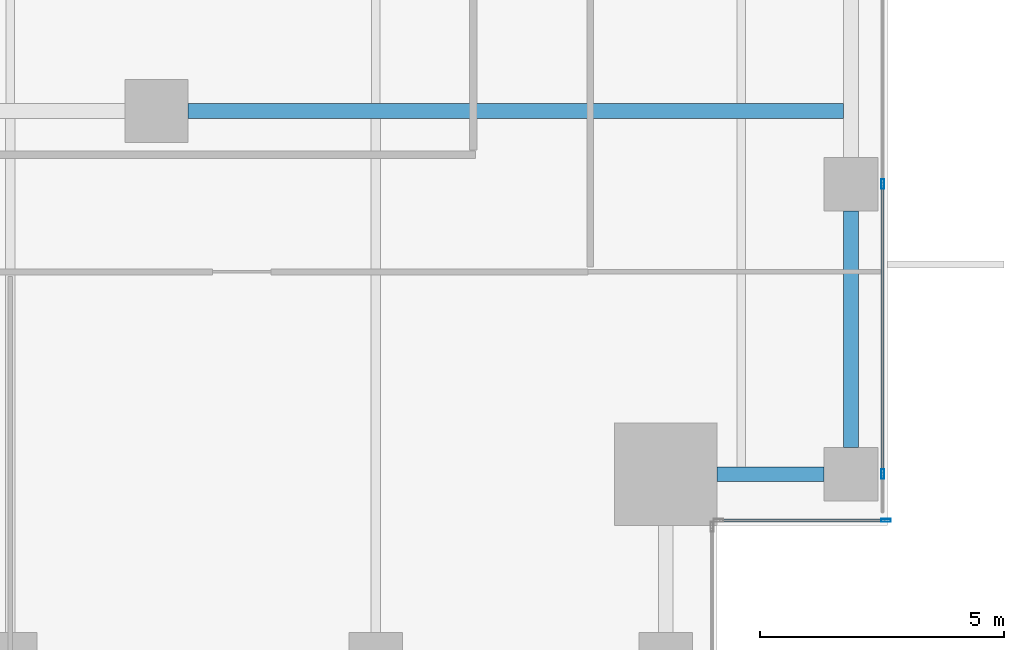
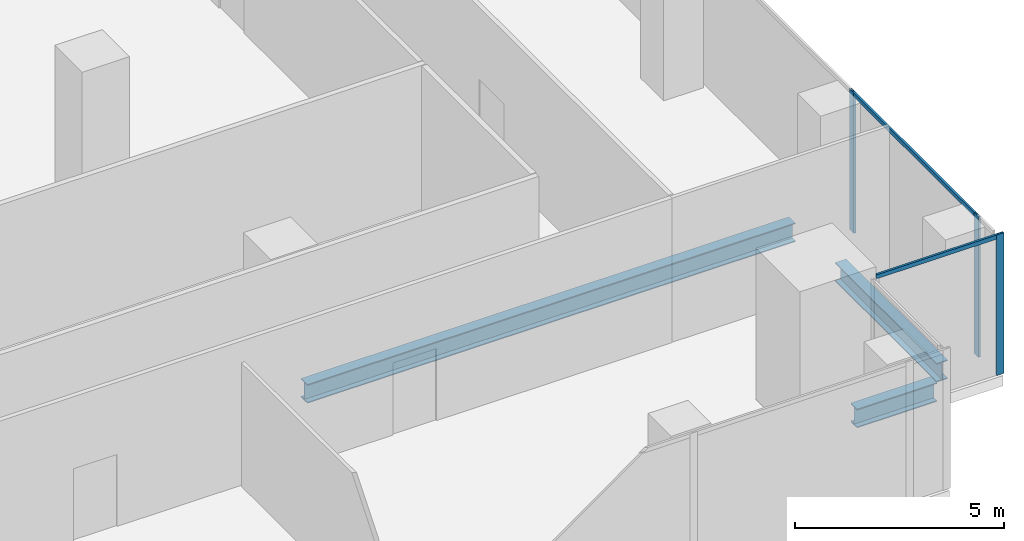
# One storey, part 11 of 35: 5 members, 3 beams, 2 elements without a shape of their own.
"""IFC4 building model written with IfcOpenShell, lengths in metres."""

import ifcopenshell
import ifcopenshell.guid

model = None  # the IFC model being written
_history = None  # IfcOwnerHistory: only IFC2X3 demands one
_inside = {}  # id of a spatial element -> (the spatial element, [elements in it])
_under = {}  # id of a project, library or spatial element -> (it, [spatial elements below it])
_declared = {}  # id of a project -> (the project, [libraries it declares])
_typed = {}  # id of a type object -> (the type object, [elements of that type])
_made_of = {}  # id of a material, layer set ... -> (it, [elements and type objects made of it])


def new_model(schema):
    """Start an empty IFC model of exactly this schema.

    Asked for "IFC4X3", IfcOpenShell would pick the latest addendum, in which some entities
    have other attributes; the version numbers below select the first issue.
    IFC2X3 requires an IfcOwnerHistory on every rooted entity: one is made here for all.
    """
    global model, _history
    if schema == "IFC4X3":
        model = ifcopenshell.file(schema_version=(4, 3, 0, 0))
    else:
        model = ifcopenshell.file(schema=schema)
    _inside.clear()
    _under.clear()
    _declared.clear()
    _typed.clear()
    _made_of.clear()
    _history = None
    if model.schema == "IFC2X3":
        org = make("IfcOrganization", Name="unknown")
        user = make(
            "IfcPersonAndOrganization",
            ThePerson=make("IfcPerson", FamilyName="unknown"),
            TheOrganization=org,
        )
        app = make(
            "IfcApplication",
            ApplicationDeveloper=org,
            Version="unknown",
            ApplicationFullName="unknown",
            ApplicationIdentifier="unknown",
        )
        _history = make(
            "IfcOwnerHistory",
            OwningUser=user,
            OwningApplication=app,
            ChangeAction="ADDED",
            CreationDate=0,
        )
    return model


def make(cls, **values):
    """One entity of the class cls with the attributes given. An attribute that is None is left unset."""
    return model.create_entity(
        cls, **{name: value for name, value in values.items() if value is not None}
    )


def rooted(cls, **values):
    """An entity with a GlobalId (a new one), such as an element, a storey or a relation."""
    return make(cls, GlobalId=ifcopenshell.guid.new(), OwnerHistory=_history, **values)


def si_unit(unit_type, name, prefix=None):
    """IfcSIUnit, for example si_unit("LENGTHUNIT", "METRE", prefix="MILLI")."""
    return make("IfcSIUnit", UnitType=unit_type, Prefix=prefix, Name=name)


def assignment(units):
    """IfcUnitAssignment: the units of a project."""
    return None if units is None else make("IfcUnitAssignment", Units=units)


def point(xyz):
    """IfcCartesianPoint."""
    return None if xyz is None else make("IfcCartesianPoint", Coordinates=xyz)


def direction(xyz):
    """IfcDirection."""
    return None if xyz is None else make("IfcDirection", DirectionRatios=xyz)


def frame(location, z_axis=None, x_axis=None):
    """IfcAxis2Placement3D, a coordinate frame: its origin and axes. An axis left out is left unset."""
    return make(
        "IfcAxis2Placement3D",
        Location=point(location),
        Axis=direction(z_axis),
        RefDirection=direction(x_axis),
    )


def frame_2d(location, x_axis=None):
    """IfcAxis2Placement2D, a coordinate frame in the plane: its origin and x axis."""
    return make(
        "IfcAxis2Placement2D", Location=point(location), RefDirection=direction(x_axis)
    )


def origin():
    """The frame at (0, 0, 0) with its axes left unset."""
    return frame((0.0, 0.0, 0.0))


def origin_2d():
    """The frame at (0, 0) in the plane with its x axis left unset."""
    return frame_2d((0.0, 0.0))


def place(relative_to, where):
    """IfcLocalPlacement: puts the frame where relative to a parent placement (None: the world)."""
    return make(
        "IfcLocalPlacement", PlacementRelTo=relative_to, RelativePlacement=where
    )


def context(
    kind, dimensions, precision=None, world=None, true_north=None, identifier=None
):
    """IfcGeometricRepresentationContext, for example the 3D "Model" context."""
    return make(
        "IfcGeometricRepresentationContext",
        ContextIdentifier=identifier,
        ContextType=kind,
        CoordinateSpaceDimension=dimensions,
        Precision=precision,
        WorldCoordinateSystem=world,
        TrueNorth=true_north,
    )


def subcontext(parent, identifier, kind, view, scale=None):
    """IfcGeometricRepresentationSubContext, for example "Body" below "Model"."""
    return make(
        "IfcGeometricRepresentationSubContext",
        ContextIdentifier=identifier,
        ContextType=kind,
        ParentContext=parent,
        TargetScale=scale,
        TargetView=view,
    )


def project(units=None, contexts=None):
    """IfcProject with its units and contexts."""
    return rooted(
        "IfcProject",
        Name="project",
        RepresentationContexts=contexts,
        UnitsInContext=assignment(units),
    )


def spatial(cls, under=None, at=None, **own):
    """A site, building, storey or space (cls), placed at a placement, below another one or the project."""
    s = rooted(cls, ObjectPlacement=at, **own)
    if under is not None:
        _under.setdefault(under.id(), (under, []))[1].append(s)
    return s


def profile(cls, at=None, kind="AREA", **sizes):
    """A parametric profile (cls). Its sizes go by their IFC names, for example OverallWidth=200.0."""
    return make(cls, ProfileType=kind, Position=at, **sizes)


def hollow_rectangle(**sizes):
    """IfcRectangleHollowProfileDef."""
    return profile("IfcRectangleHollowProfileDef", **sizes)


def i_section(**sizes):
    """IfcIShapeProfileDef."""
    return profile("IfcIShapeProfileDef", **sizes)


def extrude(swept, where, along, depth):
    """IfcExtrudedAreaSolid: the profile swept, set in the frame where, extruded along a direction by depth."""
    return make(
        "IfcExtrudedAreaSolid",
        SweptArea=swept,
        Position=where,
        ExtrudedDirection=direction(along),
        Depth=depth,
    )


def shape(context_of_items, identifier, shape_type, items):
    """IfcShapeRepresentation: the items that make up one representation, for example the "Body"."""
    return make(
        "IfcShapeRepresentation",
        ContextOfItems=context_of_items,
        RepresentationIdentifier=identifier,
        RepresentationType=shape_type,
        Items=items,
    )


def source(mapping_origin, context_of_items, identifier, shape_type, items):
    """IfcRepresentationMap: a shape defined once, which mapped items show again and again."""
    return make(
        "IfcRepresentationMap",
        MappingOrigin=mapping_origin,
        MappedRepresentation=shape(context_of_items, identifier, shape_type, items),
    )


def transform(
    local_origin,
    x_axis=None,
    y_axis=None,
    z_axis=None,
    scale=None,
    scale2=None,
    scale3=None,
    uniform=True,
):
    """IfcCartesianTransformationOperator3D, or its non-uniform kind. x_axis, y_axis, z_axis: its Axis1, 2, 3."""
    if uniform:
        return make(
            "IfcCartesianTransformationOperator3D",
            Axis1=direction(x_axis),
            Axis2=direction(y_axis),
            LocalOrigin=point(local_origin),
            Scale=scale,
            Axis3=direction(z_axis),
        )
    return make(
        "IfcCartesianTransformationOperator3DnonUniform",
        Axis1=direction(x_axis),
        Axis2=direction(y_axis),
        LocalOrigin=point(local_origin),
        Scale=scale,
        Axis3=direction(z_axis),
        Scale2=scale2,
        Scale3=scale3,
    )


def mapped(mapping_source, mapping_target):
    """IfcMappedItem: shows the shape of a source again, moved by a transform."""
    return make(
        "IfcMappedItem", MappingSource=mapping_source, MappingTarget=mapping_target
    )


def material(Name=None, Category=None):
    """IfcMaterial."""
    return make("IfcMaterial", Name=Name, Category=Category)


def material_profile(
    of_material, cross_section, Name=None, Category=None, Priority=None
):
    """IfcMaterialProfile: a cross section and its material."""
    return make(
        "IfcMaterialProfile",
        Name=Name,
        Material=of_material,
        Profile=cross_section,
        Priority=Priority,
        Category=Category,
    )


def profile_set(profiles, Name=None, composite=None):
    """IfcMaterialProfileSet."""
    return make(
        "IfcMaterialProfileSet",
        Name=Name,
        MaterialProfiles=profiles,
        CompositeProfile=composite,
    )


def made_of(thing, what):
    """Note that an element or type object is made of a material, layer set ...; save() writes the relation."""
    if what is not None:
        _made_of.setdefault(what.id(), (what, []))[1].append(thing)
    return thing


def type_object(cls, material=None, **own):
    """A type object (cls), such as IfcWallType, which elements share."""
    return made_of(rooted(cls, **own), material)


def element(
    cls,
    number,
    at=None,
    inside=None,
    cuts=None,
    type_object=None,
    material=None,
    context=None,
    identifier="Body",
    shape_type=None,
    held_by="IfcProductDefinitionShape",
    body=None,
    shapes=None,
    **own,
):
    """One element of the class cls, such as IfcWall. Its Tag is "e" and its number.

    at: its placement. inside: the storey or other place that contains it. cuts: it is an
    opening in that element (IfcRelVoidsElement). A single representation is given by context,
    identifier, shape_type and body (its items); several are given by shapes. held_by: the class
    of the entity that holds the representations. save() writes the other relations.
    """
    e = rooted(cls, Tag="e%d" % number, ObjectPlacement=at, **own)
    if body is not None:
        shapes = [shape(context, identifier, shape_type, body)]
    if shapes is not None:
        e.Representation = make(held_by, Representations=shapes)
    if inside is not None:
        _inside.setdefault(inside.id(), (inside, []))[1].append(e)
    if cuts is not None:
        rooted(
            "IfcRelVoidsElement", RelatingBuildingElement=cuts, RelatedOpeningElement=e
        )
    if type_object is not None:
        _typed.setdefault(type_object.id(), (type_object, []))[1].append(e)
    return made_of(e, material)


def aggregate(whole, parts):
    """IfcRelAggregates: a whole, such as a stair, and the parts it consists of."""
    return rooted("IfcRelAggregates", RelatingObject=whole, RelatedObjects=parts)


def save(model, path):
    """Write the relations noted so far, then the file.

    IfcRelAggregates (storeys below a building ...), IfcRelContainedInSpatialStructure (elements
    in a storey), IfcRelDefinesByType, IfcRelAssociatesMaterial and IfcRelDeclares: one each for
    every whole, place, type object, material and project.
    """
    for whole, parts in _under.values():
        aggregate(whole, parts)
    for where, things in _inside.values():
        rooted(
            "IfcRelContainedInSpatialStructure",
            RelatedElements=things,
            RelatingStructure=where,
        )
    for kind, things in _typed.values():
        rooted("IfcRelDefinesByType", RelatedObjects=things, RelatingType=kind)
    for what, things in _made_of.values():
        rooted("IfcRelAssociatesMaterial", RelatedObjects=things, RelatingMaterial=what)
    for by, libraries in _declared.values():
        rooted("IfcRelDeclares", RelatingContext=by, RelatedDefinitions=libraries)
    model.write(path)


model = new_model("IFC4")

# Units and contexts
model_context = context("Model", 3, precision=1e-05, world=origin(), true_north=direction((0.0, 1.0)))
body_context = subcontext(model_context, "Body", "Model", "MODEL_VIEW")
ifc_project = project(units=[si_unit("LENGTHUNIT", "METRE"), si_unit("AREAUNIT", "SQUARE_METRE"), si_unit("VOLUMEUNIT", "CUBIC_METRE"), si_unit("PLANEANGLEUNIT", "RADIAN"), si_unit("MASSUNIT", "GRAM", prefix="KILO")], contexts=[model_context])

# Site, building, storey
site_placement = place(None, origin())
site = spatial("IfcSite", under=ifc_project, at=site_placement, CompositionType="ELEMENT")
building_placement = place(site_placement, origin())
building = spatial("IfcBuilding", under=site, at=building_placement, Name="Khomas Fold Tower", CompositionType="ELEMENT")
storey_placement = place(building_placement, frame((0.0, 0.0, 132.300048828125)))
storey = spatial("IfcBuildingStorey", under=building, at=storey_placement, Name="L28", CompositionType="ELEMENT", Elevation=132.300048828125)

# Beams
ifc_material_1 = material(Name="Steel S355", Category="steel")
ifc_material_profile_1 = material_profile(ifc_material_1, i_section(OverallWidth=0.300048828125, OverallDepth=0.550048828125, WebThickness=0.014892578125, FlangeThickness=0.029052734375, at=origin_2d()), Name="HE 550 B")
ifc_profile_set_1 = profile_set([ifc_material_profile_1], Name="Steel S355")
beam_type_1 = type_object("IfcBeamType", Name="HE 550 B spandrel SB2", PredefinedType="SPANDREL", material=ifc_profile_set_1)
shared_shape_1 = source(origin(), body_context, "Body", "SweptSolid", [
    extrude(i_section(OverallWidth=0.300048828125, OverallDepth=0.550048828125, WebThickness=0.014892578125, FlangeThickness=0.029052734375, at=origin_2d()), origin(), (0.0, 0.0, 1.0), 4.849853515625),
])
beam_1_placement = place(storey_placement, frame((51.75, 6.60009765625, -0.574951171875), z_axis=(0.0, 1.0, 0.0), x_axis=(-1.0, 0.0, 0.0)))
element("IfcBeam", 1, at=beam_1_placement, inside=storey, type_object=beam_type_1, Name="SB2", PredefinedType="SPANDREL", context=body_context, shape_type="MappedRepresentation", body=[
    mapped(shared_shape_1, transform((0.0, 0.0, 0.0))),
])
shared_shape_2 = source(origin(), body_context, "Body", "SweptSolid", [
    extrude(i_section(OverallWidth=0.300048828125, OverallDepth=0.550048828125, WebThickness=0.014892578125, FlangeThickness=0.029052734375, at=origin_2d()), origin(), (0.0, 0.0, 1.0), 2.199951171875),
])
beam_2_placement = place(storey_placement, frame((49.0, 6.050048828125, -0.574951171875), z_axis=(1.0, 0.0, 0.0), x_axis=(0.0, 1.0, 0.0)))
element("IfcBeam", 2, at=beam_2_placement, inside=storey, type_object=beam_type_1, Name="SB2", PredefinedType="SPANDREL", context=body_context, shape_type="MappedRepresentation", body=[
    mapped(shared_shape_2, transform((0.0, 0.0, 0.0))),
])
ifc_material_2 = material(Name="Steel S355", Category="steel")
ifc_material_profile_2 = material_profile(ifc_material_2, i_section(OverallWidth=0.300048828125, OverallDepth=0.550048828125, WebThickness=0.014892578125, FlangeThickness=0.029052734375, at=origin_2d()), Name="HE 550 B")
ifc_profile_set_2 = profile_set([ifc_material_profile_2], Name="Steel S355")
beam_type_2 = type_object("IfcBeamType", Name="HE 550 B beam GB4", PredefinedType="BEAM", material=ifc_profile_set_2)
shared_shape_3 = source(origin(), body_context, "Body", "SweptSolid", [
    extrude(i_section(OverallWidth=0.300048828125, OverallDepth=0.550048828125, WebThickness=0.014892578125, FlangeThickness=0.029052734375, at=origin_2d()), origin(), (0.0, 0.0, 1.0), 13.4501953125),
])
beam_3_placement = place(storey_placement, frame((38.14990234375, 13.5, -0.574951171875), z_axis=(1.0, 0.0, 0.0), x_axis=(0.0, 1.0, 0.0)))
element("IfcBeam", 3, at=beam_3_placement, inside=storey, type_object=beam_type_2, Name="GB4", PredefinedType="BEAM", context=body_context, shape_type="MappedRepresentation", body=[
    mapped(shared_shape_3, transform((0.0, 0.0, 0.0))),
])

# Curtain wall, member
ifc_material_3 = material(Name="Aluminium framed double glazing", Category="aluminium")
curtain_wall_type = type_object("IfcCurtainWallType", Name="SK-Unitised clear-glass wall, growing floors CW1", PredefinedType="NOTDEFINED", material=ifc_material_3)
curtain_wall_1_placement = place(storey_placement, origin())
curtain_wall_1 = element("IfcCurtainWall", 4, at=curtain_wall_1_placement, inside=storey, type_object=curtain_wall_type, Name="CW1 run L28 03-0", PredefinedType="NOTDEFINED")
ifc_material_4 = material(Name="Aluminium", Category="aluminium")
ifc_material_profile_3 = material_profile(ifc_material_4, hollow_rectangle(XDim=0.06005859375, YDim=0.1201171875, WallThickness=0.00390625, at=origin_2d()), Name="SK-Unitised clear-glass wall, growing floors transom CW1-T")
ifc_profile_set_3 = profile_set([ifc_material_profile_3], Name="Aluminium")
member_type_1 = type_object("IfcMemberType", Name="SK-Unitised clear-glass wall, growing floors transom CW1-T", PredefinedType="USERDEFINED", material=ifc_profile_set_3)
shared_shape_4 = source(origin(), body_context, "Body", "SweptSolid", [
    extrude(hollow_rectangle(XDim=0.06005859375, YDim=0.1201171875, WallThickness=0.00390625, at=origin_2d()), origin(), (0.0, 0.0, 1.0), 5.889892578125),
])
member_1_placement = place(storey_placement, frame((52.39990234375, 6.080078125, 4.0400390625), z_axis=(0.0, 1.0, 0.0), x_axis=(-1.0, 0.0, 0.0)))
member_1 = element("IfcMember", 5, at=member_1_placement, type_object=member_type_1, Name="CW1 transom 2", ObjectType="TRANSOM", PredefinedType="USERDEFINED", context=body_context, shape_type="MappedRepresentation", body=[
    mapped(shared_shape_4, transform((0.0, 0.0, 0.0))),
])

# Curtain wall, members
curtain_wall_2_placement = place(storey_placement, origin())
curtain_wall_2 = element("IfcCurtainWall", 6, at=curtain_wall_2_placement, inside=storey, type_object=curtain_wall_type, Name="CW1 corner return L28 02", PredefinedType="NOTDEFINED")
shared_shape_5 = source(origin(), body_context, "Body", "SweptSolid", [
    extrude(hollow_rectangle(XDim=0.06005859375, YDim=0.1201171875, WallThickness=0.00390625, at=origin_2d()), origin(), (0.0, 0.0, 1.0), 3.3798828125),
])
member_2_placement = place(storey_placement, frame((49.06005859375, 5.10009765625, 4.0400390625), z_axis=(1.0, 0.0, 0.0), x_axis=(0.0, 1.0, 0.0)))
member_2 = element("IfcMember", 7, at=member_2_placement, type_object=member_type_1, Name="CW1 transom 1", ObjectType="TRANSOM", PredefinedType="USERDEFINED", context=body_context, shape_type="MappedRepresentation", body=[
    mapped(shared_shape_5, transform((0.0, 0.0, 0.0))),
])
ifc_material_5 = material(Name="Aluminium", Category="aluminium")
ifc_material_profile_4 = material_profile(ifc_material_5, hollow_rectangle(XDim=0.06005859375, YDim=0.199951171875, WallThickness=0.00390625, at=origin_2d()), Name="SK-Unitised clear-glass wall, growing floors mullion CW1-M")
ifc_profile_set_4 = profile_set([ifc_material_profile_4], Name="Aluminium")
member_type_2 = type_object("IfcMemberType", Name="SK-Unitised clear-glass wall, growing floors mullion CW1-M", PredefinedType="MULLION", material=ifc_profile_set_4)
shared_shape_6 = source(origin(), body_context, "Body", "SweptSolid", [
    extrude(hollow_rectangle(XDim=0.06005859375, YDim=0.199951171875, WallThickness=0.00390625, at=origin_2d()), origin(), (0.0, 0.0, 1.0), 4.099853515625),
])
member_3_placement = place(storey_placement, frame((52.469970703125, 5.10009765625, 0.0), z_axis=(0.0, 0.0, 1.0), x_axis=(0.0, 1.0, 0.0)))
member_3 = element("IfcMember", 8, at=member_3_placement, type_object=member_type_2, Name="CW1 mullion 2", PredefinedType="MULLION", context=body_context, shape_type="MappedRepresentation", body=[
    mapped(shared_shape_6, transform((0.0, 0.0, 0.0))),
])
aggregate(curtain_wall_2, [member_3, member_2])

# Member
member_4_placement = place(storey_placement, frame((52.39990234375, 6.050048828125, 0.0), z_axis=(0.0, 0.0, 1.0), x_axis=(-1.0, 0.0, 0.0)))
member_4 = element("IfcMember", 9, at=member_4_placement, type_object=member_type_2, Name="CW1 mullion 2", PredefinedType="MULLION", context=body_context, shape_type="MappedRepresentation", body=[
    mapped(shared_shape_6, transform((0.0, 0.0, 0.0))),
])

member_5_placement = place(storey_placement, frame((52.39990234375, 12.0, 0.0), z_axis=(0.0, 0.0, 1.0), x_axis=(-1.0, 0.0, 0.0)))
member_5 = element("IfcMember", 10, at=member_5_placement, type_object=member_type_2, Name="CW1 mullion 3", PredefinedType="MULLION", context=body_context, shape_type="MappedRepresentation", body=[
    mapped(shared_shape_6, transform((0.0, 0.0, 0.0))),
])

aggregate(curtain_wall_1, [member_4, member_5, member_1])

save(model, "model.ifc")
